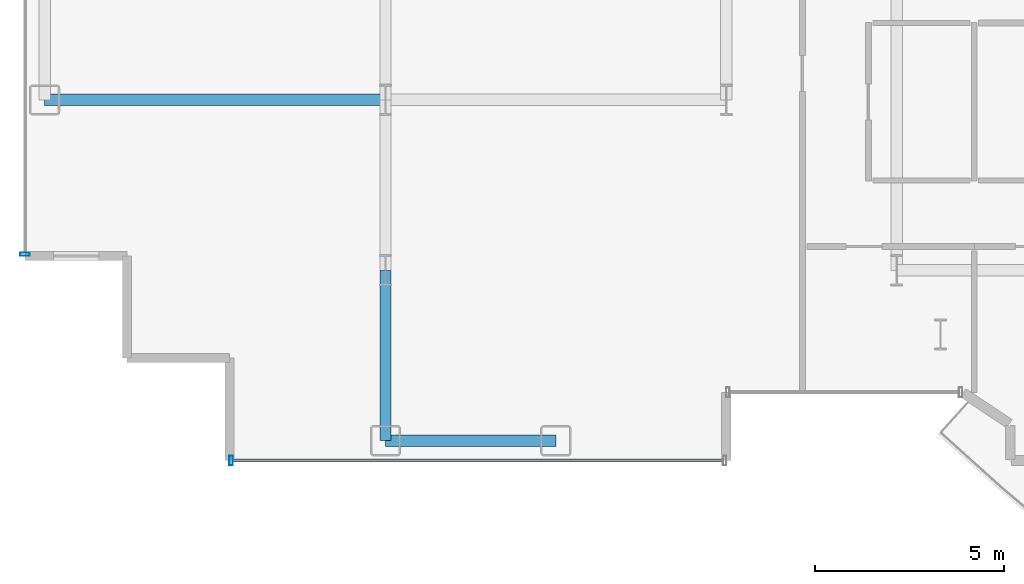
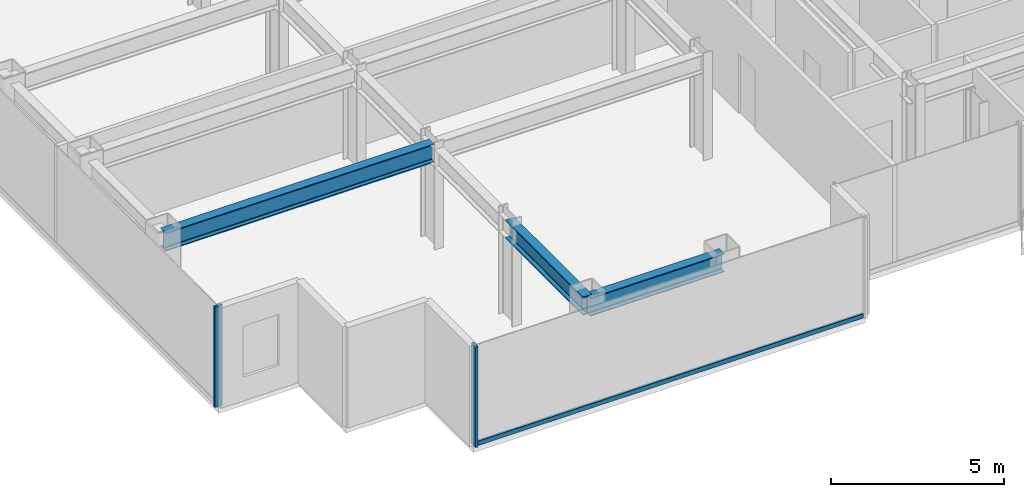
# One storey, part 3 of 23: 3 beams, 3 members, 2 elements without a shape of their own.
"""IFC4 building model written with IfcOpenShell, lengths in metres."""

from ifc_helpers import new_model, si_unit, direction, frame, origin, origin_2d, place, context, subcontext, project, spatial, hollow_rectangle, i_section, extrude, source, transform, mapped, material, layer, layer_set, material_profile, profile_set, type_object, element, aggregate, save


model = new_model("IFC4")

# Units and contexts
model_context = context("Model", 3, precision=1e-05, world=origin(), true_north=direction((0.0, 1.0)))
body_context = subcontext(model_context, "Body", "Model", "MODEL_VIEW")
ifc_project = project(units=[si_unit("LENGTHUNIT", "METRE"), si_unit("AREAUNIT", "SQUARE_METRE"), si_unit("VOLUMEUNIT", "CUBIC_METRE"), si_unit("PLANEANGLEUNIT", "RADIAN"), si_unit("MASSUNIT", "GRAM", prefix="KILO")], contexts=[model_context])

# Site, building, storey
site_placement = place(None, origin())
site = spatial("IfcSite", under=ifc_project, at=site_placement, CompositionType="ELEMENT")
building_placement = place(site_placement, origin())
building = spatial("IfcBuilding", under=site, at=building_placement, Name="Nefas-Gora Pilgrimage Tower", CompositionType="ELEMENT")
storey_placement = place(building_placement, frame((0.0, 0.0, 156.39990234375)))
storey = spatial("IfcBuildingStorey", under=building, at=storey_placement, Name="L38", CompositionType="ELEMENT", Elevation=156.39990234375)

# Beams
ifc_material_1 = material(Name="Steel S355", Category="steel")
ifc_material_profile_1 = material_profile(ifc_material_1, i_section(OverallWidth=0.300048828125, OverallDepth=0.64990234375, WebThickness=0.01611328125, FlangeThickness=0.031005859375, FilletRadius=0.027099609375, at=origin_2d()), Name="HEB 650")
ifc_profile_set_1 = profile_set([ifc_material_profile_1], Name="Steel S355")
beam_type_1 = type_object("IfcBeamType", Name="BM-SPN-HEB500", PredefinedType="SPANDREL", material=ifc_profile_set_1)
shared_shape_1 = source(origin(), body_context, "Body", "SweptSolid", [
    extrude(i_section(OverallWidth=0.300048828125, OverallDepth=0.64990234375, WebThickness=0.01611328125, FlangeThickness=0.031005859375, FilletRadius=0.027099609375, at=origin_2d()), origin(), (0.0, 0.0, 1.0), 4.5),
])
beam_1_placement = place(storey_placement, frame((-24.75, -22.5, 3.22509765625), z_axis=(1.0, 0.0, 0.0), x_axis=(0.0, 1.0, 0.0)))
element("IfcBeam", 1, at=beam_1_placement, inside=storey, type_object=beam_type_1, Name="L38 SP-02 beam", PredefinedType="SPANDREL", context=body_context, shape_type="MappedRepresentation", body=[
    mapped(shared_shape_1, transform((0.0, 0.0, 0.0), x_axis=(1.0, 0.0, 0.0), y_axis=(0.0, 1.0, 0.0), z_axis=(0.0, 0.0, 1.0), scale=1.0)),
])
ifc_material_profile_2 = material_profile(ifc_material_1, i_section(OverallWidth=0.300048828125, OverallDepth=0.64990234375, WebThickness=0.01611328125, FlangeThickness=0.031005859375, FilletRadius=0.027099609375, at=origin_2d()), Name="HEB 650")
ifc_profile_set_2 = profile_set([ifc_material_profile_2], Name="Steel S355")
beam_type_2 = type_object("IfcBeamType", Name="BM-GIR-HEB650", PredefinedType="BEAM", material=ifc_profile_set_2)
shared_shape_2 = source(origin(), body_context, "Body", "SweptSolid", [
    extrude(i_section(OverallWidth=0.300048828125, OverallDepth=0.64990234375, WebThickness=0.01611328125, FlangeThickness=0.031005859375, FilletRadius=0.027099609375, at=origin_2d()), origin(), (0.0, 0.0, 1.0), 9.0),
])
beam_2_placement = place(storey_placement, frame((-33.75, -13.5, 3.22509765625), z_axis=(1.0, 0.0, 0.0), x_axis=(0.0, 1.0, 0.0)))
element("IfcBeam", 2, at=beam_2_placement, inside=storey, type_object=beam_type_2, Name="L38 G-03 beam", PredefinedType="BEAM", context=body_context, shape_type="MappedRepresentation", body=[
    mapped(shared_shape_2, transform((0.0, 0.0, 0.0), x_axis=(1.0, 0.0, 0.0), y_axis=(0.0, 1.0, 0.0), z_axis=(0.0, 0.0, 1.0), scale=1.0)),
])
shared_shape_3 = source(origin(), body_context, "Body", "SweptSolid", [
    extrude(i_section(OverallWidth=0.300048828125, OverallDepth=0.64990234375, WebThickness=0.01611328125, FlangeThickness=0.031005859375, FilletRadius=0.027099609375, at=origin_2d()), origin(), (0.0, 0.0, 1.0), 4.5),
])
beam_3_placement = place(storey_placement, frame((-24.75, -22.5, 3.22509765625), z_axis=(0.0, 1.0, 0.0), x_axis=(-1.0, 0.0, 0.0)))
element("IfcBeam", 3, at=beam_3_placement, inside=storey, type_object=beam_type_2, Name="L38 G-03 beam", PredefinedType="BEAM", context=body_context, shape_type="MappedRepresentation", body=[
    mapped(shared_shape_3, transform((0.0, 0.0, 0.0), x_axis=(1.0, 0.0, 0.0), y_axis=(0.0, 1.0, 0.0), z_axis=(0.0, 0.0, 1.0), scale=1.0)),
])

# Curtain wall, member
ifc_material_2 = material(Name="Dark ceramic-fritted solar-control aluminium-glass curtain wall", Category="aluminium")
ifc_layer = layer(ifc_material_2, 0.219970703125)
ifc_layer_set = layer_set([ifc_layer], Name="Dark ceramic-fritted solar-control aluminium-glass curtain wall")
curtain_wall_type = type_object("IfcCurtainWallType", Name="CW-SYS-3", PredefinedType="NOTDEFINED", material=ifc_layer_set)
curtain_wall_1_placement = place(storey_placement, origin())
curtain_wall_1 = element("IfcCurtainWall", 4, at=curtain_wall_1_placement, inside=storey, type_object=curtain_wall_type, Name="L38 Unitised Curtain Wall CW3", PredefinedType="NOTDEFINED")
ifc_material_3 = material(Name="Anodised architectural aluminium", Category="aluminium")
ifc_material_profile_3 = material_profile(ifc_material_3, hollow_rectangle(XDim=0.090087890625, YDim=0.260009765625, WallThickness=0.006103515625, InnerFilletRadius=0.006103515625, OuterFilletRadius=0.011962890625, at=origin_2d()), Name="ALU MULLION 90x260")
ifc_profile_set_3 = profile_set([ifc_material_profile_3], Name="Anodised architectural aluminium")
member_type_1 = type_object("IfcMemberType", Name="CWM-MUL-3", PredefinedType="MULLION", material=ifc_profile_set_3)
shared_shape_4 = source(origin(), body_context, "Body", "SweptSolid", [
    extrude(hollow_rectangle(XDim=0.090087890625, YDim=0.260009765625, WallThickness=0.006103515625, InnerFilletRadius=0.006103515625, OuterFilletRadius=0.011962890625, at=origin_2d()), origin(), (0.0, 0.0, 1.0), 3.550048828125),
])
member_1_placement = place(storey_placement, frame((-34.27001953125, -17.574951171875, 0.0), z_axis=(0.0, 0.0, 1.0), x_axis=(0.0, -1.0, 0.0)))
member_1 = element("IfcMember", 5, at=member_1_placement, type_object=member_type_1, Name="CW3 Mullion 2", PredefinedType="MULLION", context=body_context, shape_type="MappedRepresentation", body=[
    mapped(shared_shape_4, transform((0.0, 0.0, 0.0), x_axis=(1.0, 0.0, 0.0), y_axis=(0.0, 1.0, 0.0), z_axis=(0.0, 0.0, 1.0), scale=1.0)),
])
aggregate(curtain_wall_1, [member_1])

# Curtain wall, members
curtain_wall_2_placement = place(storey_placement, origin())
curtain_wall_2 = element("IfcCurtainWall", 6, at=curtain_wall_2_placement, inside=storey, type_object=curtain_wall_type, Name="L38 Unitised Curtain Wall CW3", PredefinedType="NOTDEFINED")
member_2_placement = place(storey_placement, frame((-28.824951171875, -23.02001953125, 0.0), z_axis=(0.0, 0.0, 1.0), x_axis=(1.0, 0.0, 0.0)))
member_2 = element("IfcMember", 7, at=member_2_placement, type_object=member_type_1, Name="CW3 Mullion 1", PredefinedType="MULLION", context=body_context, shape_type="MappedRepresentation", body=[
    mapped(shared_shape_4, transform((0.0, 0.0, 0.0), x_axis=(1.0, 0.0, 0.0), y_axis=(0.0, 1.0, 0.0), z_axis=(0.0, 0.0, 1.0), scale=1.0)),
])
ifc_material_profile_4 = material_profile(ifc_material_3, hollow_rectangle(XDim=0.080078125, YDim=0.159912109375, WallThickness=0.00439453125, InnerFilletRadius=0.00439453125, OuterFilletRadius=0.009033203125, at=origin_2d()), Name="ALU TRANSOM 80x160")
ifc_profile_set_4 = profile_set([ifc_material_profile_4], Name="Anodised architectural aluminium")
member_type_2 = type_object("IfcMemberType", Name="CWM-TRN-3", PredefinedType="USERDEFINED", material=ifc_profile_set_4)
shared_shape_5 = source(origin(), body_context, "Body", "SweptSolid", [
    extrude(hollow_rectangle(XDim=0.080078125, YDim=0.159912109375, WallThickness=0.00439453125, InnerFilletRadius=0.00439453125, OuterFilletRadius=0.009033203125, at=origin_2d()), origin(), (0.0, 0.0, 1.0), 12.93994140625),
])
member_3_placement = place(storey_placement, frame((-28.780029296875, -23.02001953125, 0.050048828125), z_axis=(1.0, 0.0, 0.0), x_axis=(0.0, 1.0, 0.0)))
member_3 = element("IfcMember", 8, at=member_3_placement, type_object=member_type_2, Name="CW3 Spandrel Transom", ObjectType="TRANSOM", PredefinedType="USERDEFINED", context=body_context, shape_type="MappedRepresentation", body=[
    mapped(shared_shape_5, transform((0.0, 0.0, 0.0), x_axis=(1.0, 0.0, 0.0), y_axis=(0.0, 1.0, 0.0), z_axis=(0.0, 0.0, 1.0), scale=1.0)),
])
aggregate(curtain_wall_2, [member_2, member_3])

save(model, "model.ifc")
